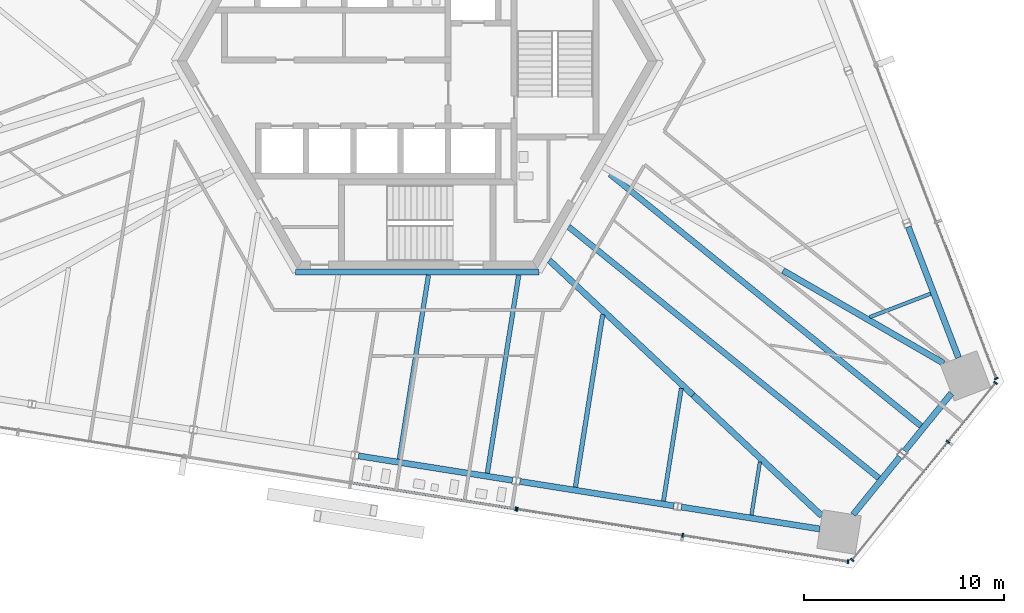
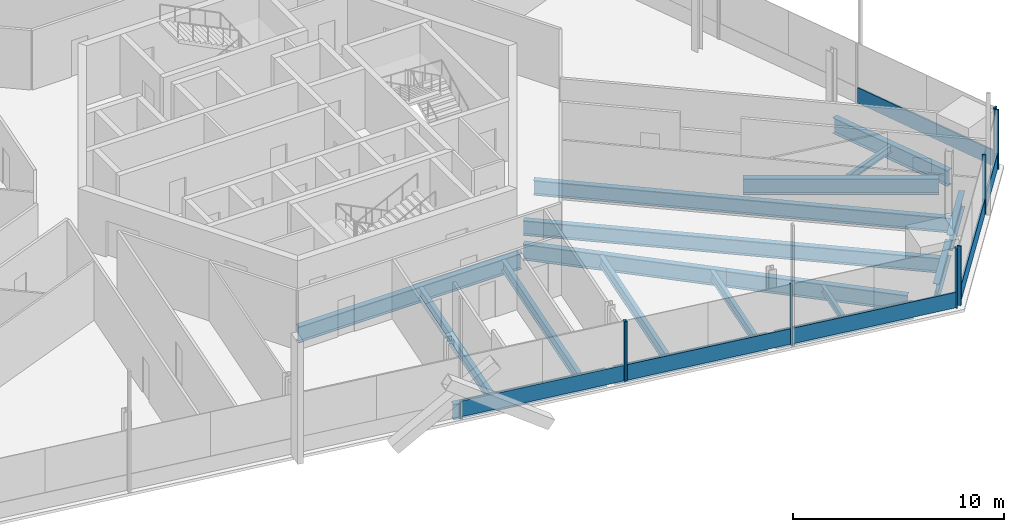
# One storey, part 6 of 22: 18 beams, 14 members, 4 elements without a shape of their own.
"""IFC4 building model written with IfcOpenShell, lengths in metres."""

import ifcopenshell
import ifcopenshell.guid

model = None  # the IFC model being written
_history = None  # IfcOwnerHistory: only IFC2X3 demands one
_inside = {}  # id of a spatial element -> (the spatial element, [elements in it])
_under = {}  # id of a project, library or spatial element -> (it, [spatial elements below it])
_declared = {}  # id of a project -> (the project, [libraries it declares])
_typed = {}  # id of a type object -> (the type object, [elements of that type])
_made_of = {}  # id of a material, layer set ... -> (it, [elements and type objects made of it])


def new_model(schema):
    """Start an empty IFC model of exactly this schema.

    Asked for "IFC4X3", IfcOpenShell would pick the latest addendum, in which some entities
    have other attributes; the version numbers below select the first issue.
    IFC2X3 requires an IfcOwnerHistory on every rooted entity: one is made here for all.
    """
    global model, _history
    if schema == "IFC4X3":
        model = ifcopenshell.file(schema_version=(4, 3, 0, 0))
    else:
        model = ifcopenshell.file(schema=schema)
    _inside.clear()
    _under.clear()
    _declared.clear()
    _typed.clear()
    _made_of.clear()
    _history = None
    if model.schema == "IFC2X3":
        org = make("IfcOrganization", Name="unknown")
        user = make(
            "IfcPersonAndOrganization",
            ThePerson=make("IfcPerson", FamilyName="unknown"),
            TheOrganization=org,
        )
        app = make(
            "IfcApplication",
            ApplicationDeveloper=org,
            Version="unknown",
            ApplicationFullName="unknown",
            ApplicationIdentifier="unknown",
        )
        _history = make(
            "IfcOwnerHistory",
            OwningUser=user,
            OwningApplication=app,
            ChangeAction="ADDED",
            CreationDate=0,
        )
    return model


def make(cls, **values):
    """One entity of the class cls with the attributes given. An attribute that is None is left unset."""
    return model.create_entity(
        cls, **{name: value for name, value in values.items() if value is not None}
    )


def rooted(cls, **values):
    """An entity with a GlobalId (a new one), such as an element, a storey or a relation."""
    return make(cls, GlobalId=ifcopenshell.guid.new(), OwnerHistory=_history, **values)


def si_unit(unit_type, name, prefix=None):
    """IfcSIUnit, for example si_unit("LENGTHUNIT", "METRE", prefix="MILLI")."""
    return make("IfcSIUnit", UnitType=unit_type, Prefix=prefix, Name=name)


def assignment(units):
    """IfcUnitAssignment: the units of a project."""
    return None if units is None else make("IfcUnitAssignment", Units=units)


def point(xyz):
    """IfcCartesianPoint."""
    return None if xyz is None else make("IfcCartesianPoint", Coordinates=xyz)


def direction(xyz):
    """IfcDirection."""
    return None if xyz is None else make("IfcDirection", DirectionRatios=xyz)


def frame(location, z_axis=None, x_axis=None):
    """IfcAxis2Placement3D, a coordinate frame: its origin and axes. An axis left out is left unset."""
    return make(
        "IfcAxis2Placement3D",
        Location=point(location),
        Axis=direction(z_axis),
        RefDirection=direction(x_axis),
    )


def frame_2d(location, x_axis=None):
    """IfcAxis2Placement2D, a coordinate frame in the plane: its origin and x axis."""
    return make(
        "IfcAxis2Placement2D", Location=point(location), RefDirection=direction(x_axis)
    )


def origin():
    """The frame at (0, 0, 0) with its axes left unset."""
    return frame((0.0, 0.0, 0.0))


def origin_2d():
    """The frame at (0, 0) in the plane with its x axis left unset."""
    return frame_2d((0.0, 0.0))


def place(relative_to, where):
    """IfcLocalPlacement: puts the frame where relative to a parent placement (None: the world)."""
    return make(
        "IfcLocalPlacement", PlacementRelTo=relative_to, RelativePlacement=where
    )


def context(
    kind, dimensions, precision=None, world=None, true_north=None, identifier=None
):
    """IfcGeometricRepresentationContext, for example the 3D "Model" context."""
    return make(
        "IfcGeometricRepresentationContext",
        ContextIdentifier=identifier,
        ContextType=kind,
        CoordinateSpaceDimension=dimensions,
        Precision=precision,
        WorldCoordinateSystem=world,
        TrueNorth=true_north,
    )


def subcontext(parent, identifier, kind, view, scale=None):
    """IfcGeometricRepresentationSubContext, for example "Body" below "Model"."""
    return make(
        "IfcGeometricRepresentationSubContext",
        ContextIdentifier=identifier,
        ContextType=kind,
        ParentContext=parent,
        TargetScale=scale,
        TargetView=view,
    )


def project(units=None, contexts=None):
    """IfcProject with its units and contexts."""
    return rooted(
        "IfcProject",
        Name="project",
        RepresentationContexts=contexts,
        UnitsInContext=assignment(units),
    )


def spatial(cls, under=None, at=None, **own):
    """A site, building, storey or space (cls), placed at a placement, below another one or the project."""
    s = rooted(cls, ObjectPlacement=at, **own)
    if under is not None:
        _under.setdefault(under.id(), (under, []))[1].append(s)
    return s


def profile(cls, at=None, kind="AREA", **sizes):
    """A parametric profile (cls). Its sizes go by their IFC names, for example OverallWidth=200.0."""
    return make(cls, ProfileType=kind, Position=at, **sizes)


def rectangle(**sizes):
    """IfcRectangleProfileDef."""
    return profile("IfcRectangleProfileDef", **sizes)


def i_section(**sizes):
    """IfcIShapeProfileDef."""
    return profile("IfcIShapeProfileDef", **sizes)


def extrude(swept, where, along, depth):
    """IfcExtrudedAreaSolid: the profile swept, set in the frame where, extruded along a direction by depth."""
    return make(
        "IfcExtrudedAreaSolid",
        SweptArea=swept,
        Position=where,
        ExtrudedDirection=direction(along),
        Depth=depth,
    )


def shape(context_of_items, identifier, shape_type, items):
    """IfcShapeRepresentation: the items that make up one representation, for example the "Body"."""
    return make(
        "IfcShapeRepresentation",
        ContextOfItems=context_of_items,
        RepresentationIdentifier=identifier,
        RepresentationType=shape_type,
        Items=items,
    )


def source(mapping_origin, context_of_items, identifier, shape_type, items):
    """IfcRepresentationMap: a shape defined once, which mapped items show again and again."""
    return make(
        "IfcRepresentationMap",
        MappingOrigin=mapping_origin,
        MappedRepresentation=shape(context_of_items, identifier, shape_type, items),
    )


def transform(
    local_origin,
    x_axis=None,
    y_axis=None,
    z_axis=None,
    scale=None,
    scale2=None,
    scale3=None,
    uniform=True,
):
    """IfcCartesianTransformationOperator3D, or its non-uniform kind. x_axis, y_axis, z_axis: its Axis1, 2, 3."""
    if uniform:
        return make(
            "IfcCartesianTransformationOperator3D",
            Axis1=direction(x_axis),
            Axis2=direction(y_axis),
            LocalOrigin=point(local_origin),
            Scale=scale,
            Axis3=direction(z_axis),
        )
    return make(
        "IfcCartesianTransformationOperator3DnonUniform",
        Axis1=direction(x_axis),
        Axis2=direction(y_axis),
        LocalOrigin=point(local_origin),
        Scale=scale,
        Axis3=direction(z_axis),
        Scale2=scale2,
        Scale3=scale3,
    )


def mapped(mapping_source, mapping_target):
    """IfcMappedItem: shows the shape of a source again, moved by a transform."""
    return make(
        "IfcMappedItem", MappingSource=mapping_source, MappingTarget=mapping_target
    )


def material(Name=None, Category=None):
    """IfcMaterial."""
    return make("IfcMaterial", Name=Name, Category=Category)


def material_profile(
    of_material, cross_section, Name=None, Category=None, Priority=None
):
    """IfcMaterialProfile: a cross section and its material."""
    return make(
        "IfcMaterialProfile",
        Name=Name,
        Material=of_material,
        Profile=cross_section,
        Priority=Priority,
        Category=Category,
    )


def profile_set(profiles, Name=None, composite=None):
    """IfcMaterialProfileSet."""
    return make(
        "IfcMaterialProfileSet",
        Name=Name,
        MaterialProfiles=profiles,
        CompositeProfile=composite,
    )


def made_of(thing, what):
    """Note that an element or type object is made of a material, layer set ...; save() writes the relation."""
    if what is not None:
        _made_of.setdefault(what.id(), (what, []))[1].append(thing)
    return thing


def type_object(cls, material=None, **own):
    """A type object (cls), such as IfcWallType, which elements share."""
    return made_of(rooted(cls, **own), material)


def element(
    cls,
    number,
    at=None,
    inside=None,
    cuts=None,
    type_object=None,
    material=None,
    context=None,
    identifier="Body",
    shape_type=None,
    held_by="IfcProductDefinitionShape",
    body=None,
    shapes=None,
    **own,
):
    """One element of the class cls, such as IfcWall. Its Tag is "e" and its number.

    at: its placement. inside: the storey or other place that contains it. cuts: it is an
    opening in that element (IfcRelVoidsElement). A single representation is given by context,
    identifier, shape_type and body (its items); several are given by shapes. held_by: the class
    of the entity that holds the representations. save() writes the other relations.
    """
    e = rooted(cls, Tag="e%d" % number, ObjectPlacement=at, **own)
    if body is not None:
        shapes = [shape(context, identifier, shape_type, body)]
    if shapes is not None:
        e.Representation = make(held_by, Representations=shapes)
    if inside is not None:
        _inside.setdefault(inside.id(), (inside, []))[1].append(e)
    if cuts is not None:
        rooted(
            "IfcRelVoidsElement", RelatingBuildingElement=cuts, RelatedOpeningElement=e
        )
    if type_object is not None:
        _typed.setdefault(type_object.id(), (type_object, []))[1].append(e)
    return made_of(e, material)


def aggregate(whole, parts):
    """IfcRelAggregates: a whole, such as a stair, and the parts it consists of."""
    return rooted("IfcRelAggregates", RelatingObject=whole, RelatedObjects=parts)


def save(model, path):
    """Write the relations noted so far, then the file.

    IfcRelAggregates (storeys below a building ...), IfcRelContainedInSpatialStructure (elements
    in a storey), IfcRelDefinesByType, IfcRelAssociatesMaterial and IfcRelDeclares: one each for
    every whole, place, type object, material and project.
    """
    for whole, parts in _under.values():
        aggregate(whole, parts)
    for where, things in _inside.values():
        rooted(
            "IfcRelContainedInSpatialStructure",
            RelatedElements=things,
            RelatingStructure=where,
        )
    for kind, things in _typed.values():
        rooted("IfcRelDefinesByType", RelatedObjects=things, RelatingType=kind)
    for what, things in _made_of.values():
        rooted("IfcRelAssociatesMaterial", RelatedObjects=things, RelatingMaterial=what)
    for by, libraries in _declared.values():
        rooted("IfcRelDeclares", RelatingContext=by, RelatedDefinitions=libraries)
    model.write(path)


model = new_model("IFC4")

# Units and contexts
model_context = context("Model", 3, precision=1e-05, world=origin(), true_north=direction((0.0, 1.0)))
body_context = subcontext(model_context, "Body", "Model", "MODEL_VIEW")
ifc_project = project(units=[si_unit("LENGTHUNIT", "METRE"), si_unit("AREAUNIT", "SQUARE_METRE"), si_unit("VOLUMEUNIT", "CUBIC_METRE"), si_unit("PLANEANGLEUNIT", "RADIAN"), si_unit("MASSUNIT", "GRAM", prefix="KILO")], contexts=[model_context])

# Site, building, storey
site_placement = place(None, origin())
site = spatial("IfcSite", under=ifc_project, at=site_placement, CompositionType="ELEMENT")
building_placement = place(site_placement, origin())
building = spatial("IfcBuilding", under=site, at=building_placement, Name="Triune Harvest Tower", CompositionType="ELEMENT")
storey_placement = place(building_placement, frame((0.0, 0.0, 153.300048828125)))
storey = spatial("IfcBuildingStorey", under=building, at=storey_placement, Name="L39", CompositionType="ELEMENT", Elevation=153.300048828125)

# Beams
ifc_material_1 = material(Name="Steel ASTM A992 Gr 50", Category="steel")
ifc_material_profile_1 = material_profile(ifc_material_1, i_section(OverallWidth=0.3046875, OverallDepth=0.914306640625, WebThickness=0.0166015625, FlangeThickness=0.02587890625, at=origin_2d()), Name="W36x160")
ifc_profile_set_1 = profile_set([ifc_material_profile_1], Name="Steel ASTM A992 Gr 50")
beam_type_1 = type_object("IfcBeamType", Name="CG-1 Core ring girder W36x160", PredefinedType="BEAM", material=ifc_profile_set_1)
shared_shape_1 = source(origin(), body_context, "Body", "SweptSolid", [
    extrude(i_section(OverallWidth=0.3046875, OverallDepth=0.914306640625, WebThickness=0.0166015625, FlangeThickness=0.02587890625, at=origin_2d()), origin(), (0.0, 0.0, 1.0), 12.17578125),
])
beam_1_placement = place(storey_placement, frame((-6.087890625, -10.544677734375, -0.6171875), z_axis=(1.0, 0.0, 0.0), x_axis=(0.0, 1.0, 0.0)))
element("IfcBeam", 1, at=beam_1_placement, inside=storey, type_object=beam_type_1, Name="beam/L39/CG5", PredefinedType="BEAM", context=body_context, shape_type="MappedRepresentation", body=[
    mapped(shared_shape_1, transform((0.0, 0.0, 0.0), scale=1.0)),
])
ifc_material_2 = material(Name="Steel ASTM A992 Gr 50", Category="steel")
ifc_material_profile_2 = material_profile(ifc_material_2, i_section(OverallWidth=0.307373046875, OverallDepth=0.922119140625, WebThickness=0.018310546875, FlangeThickness=0.030029296875, at=origin_2d()), Name="W36x182")
ifc_profile_set_2 = profile_set([ifc_material_profile_2], Name="Steel ASTM A992 Gr 50")
beam_type_2 = type_object("IfcBeamType", Name="HG-2 Hip girder W36x182", PredefinedType="BEAM", material=ifc_profile_set_2)
shared_shape_2 = source(origin(), body_context, "Body", "SweptSolid", [
    extrude(i_section(OverallWidth=0.307373046875, OverallDepth=0.922119140625, WebThickness=0.018310546875, FlangeThickness=0.030029296875, at=origin_2d()), origin(), (0.0, 0.0, 1.0), 9.85888671875),
])
beam_2_placement = place(storey_placement, frame((13.794189453125, -16.702392578125, -0.62109375), z_axis=(-0.729486233367, 0.683995493646, 0.0), x_axis=(-0.683995493646, -0.729486233367, 0.0)))
element("IfcBeam", 2, at=beam_2_placement, inside=storey, type_object=beam_type_2, Name="beam/L39/HG8", PredefinedType="BEAM", context=body_context, shape_type="MappedRepresentation", body=[
    mapped(shared_shape_2, transform((0.0, 0.0, 0.0), scale=1.0)),
])
ifc_material_3 = material(Name="Steel ASTM A992 Gr 50", Category="steel")
ifc_material_profile_3 = material_profile(ifc_material_3, i_section(OverallWidth=0.3046875, OverallDepth=0.914306640625, WebThickness=0.0166015625, FlangeThickness=0.02587890625, at=origin_2d()), Name="W36x160")
ifc_profile_set_3 = profile_set([ifc_material_profile_3], Name="Steel ASTM A992 Gr 50")
beam_type_3 = type_object("IfcBeamType", Name="SB-1 Spandrel beam W36x160", PredefinedType="SPANDREL", material=ifc_profile_set_3)
shared_shape_3 = source(origin(), body_context, "Body", "SweptSolid", [
    extrude(i_section(OverallWidth=0.3046875, OverallDepth=0.914306640625, WebThickness=0.0166015625, FlangeThickness=0.02587890625, at=origin_2d()), origin(), (0.0, 0.0, 1.0), 7.013427734375),
])
for number, where, z_axis, x_axis, name in (
    (3, (27.07568359375, -14.832275390625, -0.6171875), (-0.358372513984, 0.93357867436, 0.0), (-0.93357867436, -0.358372513984, 0.0), "beam/L39/SB1"),
    (4, (13.210205078125, -22.302978515625, -0.6171875), (0.987687489289, -0.156439839878, 0.0), (0.156439839878, 0.987687489289, 0.0), "beam/L39/SB22"),
):
    element("IfcBeam", number, at=place(storey_placement, frame(where, z_axis=z_axis, x_axis=x_axis)), inside=storey, type_object=beam_type_3, Name=name, PredefinedType="SPANDREL", context=body_context, shape_type="MappedRepresentation", body=[
        mapped(shared_shape_3, transform((0.0, 0.0, 0.0), scale=1.0)),
    ])
shared_shape_4 = source(origin(), body_context, "Body", "SweptSolid", [
    extrude(i_section(OverallWidth=0.3046875, OverallDepth=0.914306640625, WebThickness=0.0166015625, FlangeThickness=0.02587890625, at=origin_2d()), origin(), (0.0, 0.0, 1.0), 3.71240234375),
])
beam_3_placement = place(storey_placement, frame((21.808837890625, -22.677734375, -0.6171875), z_axis=(0.629351453127, 0.777120806855, 0.0), x_axis=(-0.777120806855, 0.629351453127, 0.0)))
element("IfcBeam", 5, at=beam_3_placement, inside=storey, type_object=beam_type_3, Name="beam/L39/SB23", PredefinedType="SPANDREL", context=body_context, shape_type="MappedRepresentation", body=[
    mapped(shared_shape_4, transform((0.0, 0.0, 0.0), scale=1.0)),
])
shared_shape_5 = source(origin(), body_context, "Body", "SweptSolid", [
    extrude(i_section(OverallWidth=0.3046875, OverallDepth=0.914306640625, WebThickness=0.0166015625, FlangeThickness=0.02587890625, at=origin_2d()), origin(), (0.0, 0.0, 1.0), 7.801513671875),
])
beam_4_placement = place(storey_placement, frame((5.135986328125, -21.024169921875, -0.6171875), z_axis=(0.98768800071, -0.156436610974, 0.0), x_axis=(0.156436610974, 0.98768800071, 0.0)))
element("IfcBeam", 6, at=beam_4_placement, inside=storey, type_object=beam_type_3, Name="beam/L39/SB21", PredefinedType="SPANDREL", context=body_context, shape_type="MappedRepresentation", body=[
    mapped(shared_shape_5, transform((0.0, 0.0, 0.0), scale=1.0)),
])
shared_shape_6 = source(origin(), body_context, "Body", "SweptSolid", [
    extrude(i_section(OverallWidth=0.3046875, OverallDepth=0.914306640625, WebThickness=0.0166015625, FlangeThickness=0.02587890625, at=origin_2d()), origin(), (0.0, 0.0, 1.0), 3.712646484375),
])
beam_5_placement = place(storey_placement, frame((24.380126953125, -19.50244140625, -0.6171875), z_axis=(0.629319290748, 0.777146852462, 0.0), x_axis=(-0.777146852462, 0.629319290748, 0.0)))
element("IfcBeam", 7, at=beam_5_placement, inside=storey, type_object=beam_type_3, Name="beam/L39/SB24", PredefinedType="SPANDREL", context=body_context, shape_type="MappedRepresentation", body=[
    mapped(shared_shape_6, transform((0.0, 0.0, 0.0), scale=1.0)),
])
shared_shape_7 = source(origin(), body_context, "Body", "SweptSolid", [
    extrude(i_section(OverallWidth=0.3046875, OverallDepth=0.914306640625, WebThickness=0.0166015625, FlangeThickness=0.02587890625, at=origin_2d()), origin(), (0.0, 0.0, 1.0), 7.80126953125),
])
beam_6_placement = place(storey_placement, frame((-2.938232421875, -19.745361328125, -0.6171875), z_axis=(0.987687234845, -0.15644144631, 0.0), x_axis=(0.15644144631, 0.987687234845, 0.0)))
element("IfcBeam", 8, at=beam_6_placement, inside=storey, type_object=beam_type_3, Name="beam/L39/SB20", PredefinedType="SPANDREL", context=body_context, shape_type="MappedRepresentation", body=[
    mapped(shared_shape_7, transform((0.0, 0.0, 0.0), scale=1.0)),
])
shared_shape_8 = source(origin(), body_context, "Body", "SweptSolid", [
    extrude(i_section(OverallWidth=0.307373046875, OverallDepth=0.922119140625, WebThickness=0.018310546875, FlangeThickness=0.030029296875, at=origin_2d()), origin(), (0.0, 0.0, 1.0), 9.28369140625),
])
beam_7_placement = place(storey_placement, frame((26.33837890625, -15.114990234375, -0.62109375), z_axis=(-0.86602880926, 0.499994101496, 0.0), x_axis=(-0.499994101496, -0.86602880926, 0.0)))
element("IfcBeam", 9, at=beam_7_placement, inside=storey, type_object=beam_type_2, Name="beam/L39/HG1", PredefinedType="BEAM", context=body_context, shape_type="MappedRepresentation", body=[
    mapped(shared_shape_8, transform((0.0, 0.0, 0.0), scale=1.0)),
])
shared_shape_9 = source(origin(), body_context, "Body", "SweptSolid", [
    extrude(i_section(OverallWidth=0.307373046875, OverallDepth=0.922119140625, WebThickness=0.018310546875, FlangeThickness=0.030029296875, at=origin_2d()), origin(), (0.0, 0.0, 1.0), 8.8369140625),
])
beam_8_placement = place(storey_placement, frame((20.24072265625, -22.746826171875, -0.62109375), z_axis=(-0.729491540387, 0.683989833626, 0.0), x_axis=(-0.683989833626, -0.729491540387, 0.0)))
element("IfcBeam", 10, at=beam_8_placement, inside=storey, type_object=beam_type_2, Name="beam/L39/HG7", PredefinedType="BEAM", context=body_context, shape_type="MappedRepresentation", body=[
    mapped(shared_shape_9, transform((0.0, 0.0, 0.0), scale=1.0)),
])
ifc_material_4 = material(Name="Steel ASTM A992 Gr 50", Category="steel")
ifc_material_profile_4 = material_profile(ifc_material_4, i_section(OverallWidth=0.180908203125, OverallDepth=0.41650390625, WebThickness=0.010986328125, FlangeThickness=0.01806640625, at=origin_2d()), Name="W16x57")
ifc_profile_set_4 = profile_set([ifc_material_profile_4], Name="Steel ASTM A992 Gr 50")
beam_type_4 = type_object("IfcBeamType", Name="JT-1 Floor joist W16x57", PredefinedType="JOIST", material=ifc_profile_set_4)
shared_shape_10 = source(origin(), body_context, "Body", "SweptSolid", [
    extrude(i_section(OverallWidth=0.180908203125, OverallDepth=0.41650390625, WebThickness=0.010986328125, FlangeThickness=0.01806640625, at=origin_2d()), origin(), (0.0, 0.0, 1.0), 3.260986328125),
])
beam_9_placement = place(storey_placement, frame((25.684814453125, -11.634033203125, -0.368408203125), z_axis=(-0.933600075775, -0.35831675723, 0.0), x_axis=(0.35831675723, -0.933600075775, 0.0)))
element("IfcBeam", 11, at=beam_9_placement, inside=storey, type_object=beam_type_4, Name="beam/L39/JT1", PredefinedType="JOIST", context=body_context, shape_type="MappedRepresentation", body=[
    mapped(shared_shape_10, transform((0.0, 0.0, 0.0), scale=1.0)),
])
ifc_material_5 = material(Name="Steel ASTM A992 Gr 50", Category="steel")
ifc_material_profile_5 = material_profile(ifc_material_5, i_section(OverallWidth=0.2919921875, OverallDepth=0.8583984375, WebThickness=0.01708984375, FlangeThickness=0.031005859375, at=origin_2d()), Name="W33x169")
ifc_profile_set_5 = profile_set([ifc_material_profile_5], Name="Steel ASTM A992 Gr 50")
beam_type_5 = type_object("IfcBeamType", Name="JT-7 Floor joist W33x169", PredefinedType="JOIST", material=ifc_profile_set_5)
shared_shape_11 = source(origin(), body_context, "Body", "SweptSolid", [
    extrude(i_section(OverallWidth=0.2919921875, OverallDepth=0.8583984375, WebThickness=0.01708984375, FlangeThickness=0.031005859375, at=origin_2d()), origin(), (0.0, 0.0, 1.0), 19.97216796875),
])
beam_10_placement = place(storey_placement, frame((23.090087890625, -20.853515625, -0.58935546875), z_axis=(-0.777140102023, 0.629327626779, 0.0), x_axis=(-0.629327626779, -0.777140102023, 0.0)))
element("IfcBeam", 12, at=beam_10_placement, inside=storey, type_object=beam_type_5, Name="beam/L39/JT35", PredefinedType="JOIST", context=body_context, shape_type="MappedRepresentation", body=[
    mapped(shared_shape_11, transform((0.0, 0.0, 0.0), scale=1.0)),
])
shared_shape_12 = source(origin(), body_context, "Body", "SweptSolid", [
    extrude(i_section(OverallWidth=0.2919921875, OverallDepth=0.8583984375, WebThickness=0.01708984375, FlangeThickness=0.031005859375, at=origin_2d()), origin(), (0.0, 0.0, 1.0), 20.01611328125),
])
beam_11_placement = place(storey_placement, frame((25.198486328125, -18.25, -0.58935546875), z_axis=(-0.777142320664, 0.629324887028, 0.0), x_axis=(-0.629324887028, -0.777142320664, 0.0)))
element("IfcBeam", 13, at=beam_11_placement, inside=storey, type_object=beam_type_5, Name="beam/L39/JT36", PredefinedType="JOIST", context=body_context, shape_type="MappedRepresentation", body=[
    mapped(shared_shape_12, transform((0.0, 0.0, 0.0), scale=1.0)),
])
ifc_material_6 = material(Name="Steel ASTM A992 Gr 50", Category="steel")
ifc_material_profile_6 = material_profile(ifc_material_6, i_section(OverallWidth=0.22900390625, OverallDepth=0.612060546875, WebThickness=0.011962890625, FlangeThickness=0.01953125, at=origin_2d()), Name="W24x84")
ifc_profile_set_6 = profile_set([ifc_material_profile_6], Name="Steel ASTM A992 Gr 50")
beam_type_6 = type_object("IfcBeamType", Name="JT-3 Floor joist W24x84", PredefinedType="JOIST", material=ifc_profile_set_6)
shared_shape_13 = source(origin(), body_context, "Body", "SweptSolid", [
    extrude(i_section(OverallWidth=0.22900390625, OverallDepth=0.612060546875, WebThickness=0.011962890625, FlangeThickness=0.01953125, at=origin_2d()), origin(), (0.0, 0.0, 1.0), 9.332275390625),
])
beam_12_placement = place(storey_placement, frame((-0.896728515625, -19.914306640625, -0.466064453125), z_axis=(0.156417974358, 0.987690952321, 0.0), x_axis=(-0.987690952321, 0.156417974358, 0.0)))
element("IfcBeam", 14, at=beam_12_placement, inside=storey, type_object=beam_type_6, Name="beam/L39/JT30", PredefinedType="JOIST", context=body_context, shape_type="MappedRepresentation", body=[
    mapped(shared_shape_13, transform((0.0, 0.0, 0.0), scale=1.0)),
])
shared_shape_14 = source(origin(), body_context, "Body", "SweptSolid", [
    extrude(i_section(OverallWidth=0.22900390625, OverallDepth=0.612060546875, WebThickness=0.011962890625, FlangeThickness=0.01953125, at=origin_2d()), origin(), (0.0, 0.0, 1.0), 10.03857421875),
])
beam_13_placement = place(storey_placement, frame((3.50732421875, -20.612060546875, -0.466064453125), z_axis=(0.156427136615, 0.987689501276, 0.0), x_axis=(-0.987689501276, 0.156427136615, 0.0)))
element("IfcBeam", 15, at=beam_13_placement, inside=storey, type_object=beam_type_6, Name="beam/L39/JT31", PredefinedType="JOIST", context=body_context, shape_type="MappedRepresentation", body=[
    mapped(shared_shape_14, transform((0.0, 0.0, 0.0), scale=1.0)),
])
shared_shape_15 = source(origin(), body_context, "Body", "SweptSolid", [
    extrude(i_section(OverallWidth=0.22900390625, OverallDepth=0.612060546875, WebThickness=0.011962890625, FlangeThickness=0.01953125, at=origin_2d()), origin(), (0.0, 0.0, 1.0), 8.73828125),
])
beam_14_placement = place(storey_placement, frame((7.91162109375, -21.3095703125, -0.466064453125), z_axis=(0.156433147227, 0.987688549315, 0.0), x_axis=(-0.987688549315, 0.156433147227, 0.0)))
element("IfcBeam", 16, at=beam_14_placement, inside=storey, type_object=beam_type_6, Name="beam/L39/JT32", PredefinedType="JOIST", context=body_context, shape_type="MappedRepresentation", body=[
    mapped(shared_shape_15, transform((0.0, 0.0, 0.0), scale=1.0)),
])
ifc_material_7 = material(Name="Steel ASTM A992 Gr 50", Category="steel")
ifc_material_profile_7 = material_profile(ifc_material_7, i_section(OverallWidth=0.2099609375, OverallDepth=0.535888671875, WebThickness=0.010986328125, FlangeThickness=0.017333984375, at=origin_2d()), Name="W21x68")
ifc_profile_set_7 = profile_set([ifc_material_profile_7], Name="Steel ASTM A992 Gr 50")
beam_type_7 = type_object("IfcBeamType", Name="JT-2 Floor joist W21x68", PredefinedType="JOIST", material=ifc_profile_set_7)
shared_shape_16 = source(origin(), body_context, "Body", "SweptSolid", [
    extrude(i_section(OverallWidth=0.2099609375, OverallDepth=0.535888671875, WebThickness=0.010986328125, FlangeThickness=0.017333984375, at=origin_2d()), origin(), (0.0, 0.0, 1.0), 5.712646484375),
])
beam_15_placement = place(storey_placement, frame((12.315673828125, -22.007080078125, -0.427978515625), z_axis=(0.156458528862, 0.98768452896, 0.0), x_axis=(-0.98768452896, 0.156458528862, 0.0)))
element("IfcBeam", 17, at=beam_15_placement, inside=storey, type_object=beam_type_7, Name="beam/L39/JT33", PredefinedType="JOIST", context=body_context, shape_type="MappedRepresentation", body=[
    mapped(shared_shape_16, transform((0.0, 0.0, 0.0), scale=1.0)),
])
shared_shape_17 = source(origin(), body_context, "Body", "SweptSolid", [
    extrude(i_section(OverallWidth=0.180908203125, OverallDepth=0.41650390625, WebThickness=0.010986328125, FlangeThickness=0.01806640625, at=origin_2d()), origin(), (0.0, 0.0, 1.0), 2.6875),
])
beam_16_placement = place(storey_placement, frame((16.719970703125, -22.70458984375, -0.368408203125), z_axis=(0.156438396813, 0.987687717856, 0.0), x_axis=(-0.987687717856, 0.156438396813, 0.0)))
element("IfcBeam", 18, at=beam_16_placement, inside=storey, type_object=beam_type_4, Name="beam/L39/JT34", PredefinedType="JOIST", context=body_context, shape_type="MappedRepresentation", body=[
    mapped(shared_shape_17, transform((0.0, 0.0, 0.0), scale=1.0)),
])

# Curtain wall, member
ifc_material_8 = material(Name="Aluminium bronze anodised", Category="aluminium")
curtain_wall_type_1 = type_object("IfcCurtainWallType", Name="CW-1 Tower stick curtain wall", PredefinedType="NOTDEFINED", material=ifc_material_8)
curtain_wall_1_placement = place(storey_placement, origin())
curtain_wall_1 = element("IfcCurtainWall", 19, at=curtain_wall_1_placement, inside=storey, type_object=curtain_wall_type_1, Name="CW-1 B4-F1 L39 run 1")
ifc_material_9 = material(Name="Aluminium bronze anodised", Category="aluminium")
ifc_material_profile_8 = material_profile(ifc_material_9, rectangle(XDim=0.199951171875, YDim=0.074951171875, at=origin_2d()), Name="MU-1 mullion 75 x 200")
ifc_profile_set_8 = profile_set([ifc_material_profile_8], Name="Aluminium bronze anodised")
member_type_1 = type_object("IfcMemberType", Name="MU-1 mullion 75 x 200", PredefinedType="MULLION", material=ifc_profile_set_8)
shared_shape_18 = source(origin(), body_context, "Body", "SweptSolid", [
    extrude(rectangle(XDim=0.199951171875, YDim=0.074951171875, at=origin_2d()), origin(), (0.0, 0.0, 1.0), 3.43994140625),
])
member_1_placement = place(storey_placement, frame((28.963134765625, -15.874267578125, 0.0), z_axis=(0.0, 0.0, 1.0), x_axis=(-0.933579143884, -0.35837129085, 0.0)))
member_1 = element("IfcMember", 20, at=member_1_placement, type_object=member_type_1, Name="CW-1 mullion B4-F1 1.1", PredefinedType="MULLION", context=body_context, shape_type="MappedRepresentation", body=[
    mapped(shared_shape_18, transform((0.0, 0.0, 0.0), scale=1.0)),
])

ifc_material_10 = material(Name="Aluminium bronze anodised", Category="aluminium")
curtain_wall_type_2 = type_object("IfcCurtainWallType", Name="CW-7 Tower stick curtain wall with insulated spandrel infill", PredefinedType="NOTDEFINED", material=ifc_material_10)
curtain_wall_2_placement = place(storey_placement, origin())
curtain_wall_2 = element("IfcCurtainWall", 21, at=curtain_wall_2_placement, inside=storey, type_object=curtain_wall_type_2, Name="CW-7 B4-F5 L39 run 1001")
member_2_placement = place(storey_placement, frame((4.931640625, -22.39794921875, 0.0), z_axis=(0.0, 0.0, 1.0), x_axis=(0.156438083227, 0.987687767524, 0.0)))
member_2 = element("IfcMember", 22, at=member_2_placement, type_object=member_type_1, Name="CW-7 mullion B4-F5 1001.5", PredefinedType="MULLION", context=body_context, shape_type="MappedRepresentation", body=[
    mapped(shared_shape_18, transform((0.0, 0.0, 0.0), scale=1.0)),
])

# Curtain wall, members
curtain_wall_3_placement = place(storey_placement, origin())
curtain_wall_3 = element("IfcCurtainWall", 23, at=curtain_wall_3_placement, inside=storey, type_object=curtain_wall_type_1, Name="CW-1 B4-F5 L39 run 2001")
member_3_placement = place(storey_placement, frame((5.005859375, -22.40966796875, 0.0), z_axis=(0.0, 0.0, 1.0), x_axis=(0.156433420065, 0.987688506102, 0.0)))
member_3 = element("IfcMember", 24, at=member_3_placement, type_object=member_type_1, Name="CW-1 mullion B4-F5 2001.1", PredefinedType="MULLION", context=body_context, shape_type="MappedRepresentation", body=[
    mapped(shared_shape_18, transform((0.0, 0.0, 0.0), scale=1.0)),
])
member_4_placement = place(storey_placement, frame((13.27734375, -23.7197265625, 0.0), z_axis=(0.0, 0.0, 1.0), x_axis=(0.156433420065, 0.987688506102, 0.0)))
member_4 = element("IfcMember", 25, at=member_4_placement, type_object=member_type_1, Name="CW-1 mullion B4-F5 2001.3", PredefinedType="MULLION", context=body_context, shape_type="MappedRepresentation", body=[
    mapped(shared_shape_18, transform((0.0, 0.0, 0.0), scale=1.0)),
])
member_5_placement = place(storey_placement, frame((21.549072265625, -25.02978515625, 0.0), z_axis=(0.0, 0.0, 1.0), x_axis=(0.156433420065, 0.987688506102, 0.0)))
member_5 = element("IfcMember", 26, at=member_5_placement, type_object=member_type_1, Name="CW-1 mullion B4-F5 2001.5", PredefinedType="MULLION", context=body_context, shape_type="MappedRepresentation", body=[
    mapped(shared_shape_18, transform((0.0, 0.0, 0.0), scale=1.0)),
])

curtain_wall_4_placement = place(storey_placement, origin())
curtain_wall_4 = element("IfcCurtainWall", 27, at=curtain_wall_4_placement, inside=storey, type_object=curtain_wall_type_1, Name="CW-1 B4-F6 L39 run 1")
member_6_placement = place(storey_placement, frame((21.755126953125, -24.95068359375, 0.0), z_axis=(0.0, 0.0, 1.0), x_axis=(-0.777145544932, 0.629320905414, 0.0)))
member_6 = element("IfcMember", 28, at=member_6_placement, type_object=member_type_1, Name="CW-1 mullion B4-F6 1.1", PredefinedType="MULLION", context=body_context, shape_type="MappedRepresentation", body=[
    mapped(shared_shape_18, transform((0.0, 0.0, 0.0), scale=1.0)),
])
member_7_placement = place(storey_placement, frame((26.54541015625, -19.035400390625, 0.0), z_axis=(0.0, 0.0, 1.0), x_axis=(-0.777145544932, 0.629320905414, 0.0)))
member_7 = element("IfcMember", 29, at=member_7_placement, type_object=member_type_1, Name="CW-1 mullion B4-F6 1.3", PredefinedType="MULLION", context=body_context, shape_type="MappedRepresentation", body=[
    mapped(shared_shape_18, transform((0.0, 0.0, 0.0), scale=1.0)),
])
member_8_placement = place(storey_placement, frame((28.9287109375, -16.09228515625, 0.0), z_axis=(0.0, 0.0, 1.0), x_axis=(-0.777145544932, 0.629320905414, 0.0)))
member_8 = element("IfcMember", 30, at=member_8_placement, type_object=member_type_1, Name="CW-1 mullion B4-F6 1.4", PredefinedType="MULLION", context=body_context, shape_type="MappedRepresentation", body=[
    mapped(shared_shape_18, transform((0.0, 0.0, 0.0), scale=1.0)),
])
ifc_material_11 = material(Name="Aluminium bronze anodised", Category="aluminium")
ifc_material_profile_9 = material_profile(ifc_material_11, rectangle(XDim=0.090087890625, YDim=0.89990234375, at=origin_2d()), Name="TR-1 transom 90 x 900")
ifc_profile_set_9 = profile_set([ifc_material_profile_9], Name="Aluminium bronze anodised")
member_type_2 = type_object("IfcMemberType", Name="TR-1 transom 90 x 900", PredefinedType="USERDEFINED", material=ifc_profile_set_9)
shared_shape_19 = source(origin(), body_context, "Body", "SweptSolid", [
    extrude(rectangle(XDim=0.090087890625, YDim=0.89990234375, at=origin_2d()), origin(), (0.0, 0.0, 1.0), 7.53662109375),
])
member_9_placement = place(storey_placement, frame((21.77880859375, -24.921630859375, 0.449951171875), z_axis=(0.629310046563, 0.777154338143, 0.0), x_axis=(-0.777154338143, 0.629310046563, 0.0)))
member_9 = element("IfcMember", 31, at=member_9_placement, type_object=member_type_2, Name="CW-1 transom B4-F6 1.1", ObjectType="TRANSOM", PredefinedType="USERDEFINED", context=body_context, shape_type="MappedRepresentation", body=[
    mapped(shared_shape_19, transform((0.0, 0.0, 0.0), scale=1.0)),
])
shared_shape_20 = source(origin(), body_context, "Body", "SweptSolid", [
    extrude(rectangle(XDim=0.090087890625, YDim=0.89990234375, at=origin_2d()), origin(), (0.0, 0.0, 1.0), 3.712158203125),
])
member_10_placement = place(storey_placement, frame((26.569091796875, -19.00634765625, 0.449951171875), z_axis=(0.629272012567, 0.777185135087, 0.0), x_axis=(-0.777185135087, 0.629272012567, 0.0)))
member_10 = element("IfcMember", 32, at=member_10_placement, type_object=member_type_2, Name="CW-1 transom B4-F6 1.2", ObjectType="TRANSOM", PredefinedType="USERDEFINED", context=body_context, shape_type="MappedRepresentation", body=[
    mapped(shared_shape_20, transform((0.0, 0.0, 0.0), scale=1.0)),
])
aggregate(curtain_wall_4, [member_6, member_7, member_8, member_9, member_10])

# Member
shared_shape_21 = source(origin(), body_context, "Body", "SweptSolid", [
    extrude(rectangle(XDim=0.090087890625, YDim=0.89990234375, at=origin_2d()), origin(), (0.0, 0.0, 1.0), 8.2998046875),
])
member_11_placement = place(storey_placement, frame((28.94970703125, -15.839111328125, 0.449951171875), z_axis=(-0.35836598202, 0.933581181757, 0.0), x_axis=(-0.933581181757, -0.35836598202, 0.0)))
member_11 = element("IfcMember", 33, at=member_11_placement, type_object=member_type_2, Name="CW-1 transom B4-F1 1.1", ObjectType="TRANSOM", PredefinedType="USERDEFINED", context=body_context, shape_type="MappedRepresentation", body=[
    mapped(shared_shape_21, transform((0.0, 0.0, 0.0), scale=1.0)),
])

aggregate(curtain_wall_1, [member_1, member_11])

member_12_placement = place(storey_placement, frame((-3.302978515625, -21.09375, 0.449951171875), z_axis=(0.987688678524, -0.156432331429, 0.0), x_axis=(0.156432331429, 0.987688678524, 0.0)))
member_12 = element("IfcMember", 34, at=member_12_placement, type_object=member_type_2, Name="CW-7 transom B4-F5 1001.2", ObjectType="TRANSOM", PredefinedType="USERDEFINED", context=body_context, shape_type="MappedRepresentation", body=[
    mapped(shared_shape_21, transform((0.0, 0.0, 0.0), scale=1.0)),
])

aggregate(curtain_wall_2, [member_2, member_12])

member_13_placement = place(storey_placement, frame((13.314453125, -23.7255859375, 0.449951171875), z_axis=(0.987688678524, -0.156432331429, 0.0), x_axis=(0.156432331429, 0.987688678524, 0.0)))
member_13 = element("IfcMember", 35, at=member_13_placement, type_object=member_type_2, Name="CW-1 transom B4-F5 2001.2", ObjectType="TRANSOM", PredefinedType="USERDEFINED", context=body_context, shape_type="MappedRepresentation", body=[
    mapped(shared_shape_21, transform((0.0, 0.0, 0.0), scale=1.0)),
])

shared_shape_22 = source(origin(), body_context, "Body", "SweptSolid", [
    extrude(rectangle(XDim=0.090087890625, YDim=0.89990234375, at=origin_2d()), origin(), (0.0, 0.0, 1.0), 8.300048828125),
])
member_14_placement = place(storey_placement, frame((5.042724609375, -22.41552734375, 0.449951171875), z_axis=(0.987689398324, -0.156427786655, 0.0), x_axis=(0.156427786655, 0.987689398324, 0.0)))
member_14 = element("IfcMember", 36, at=member_14_placement, type_object=member_type_2, Name="CW-1 transom B4-F5 2001.1", ObjectType="TRANSOM", PredefinedType="USERDEFINED", context=body_context, shape_type="MappedRepresentation", body=[
    mapped(shared_shape_22, transform((0.0, 0.0, 0.0), scale=1.0)),
])

aggregate(curtain_wall_3, [member_3, member_4, member_5, member_14, member_13])

save(model, "model.ifc")
